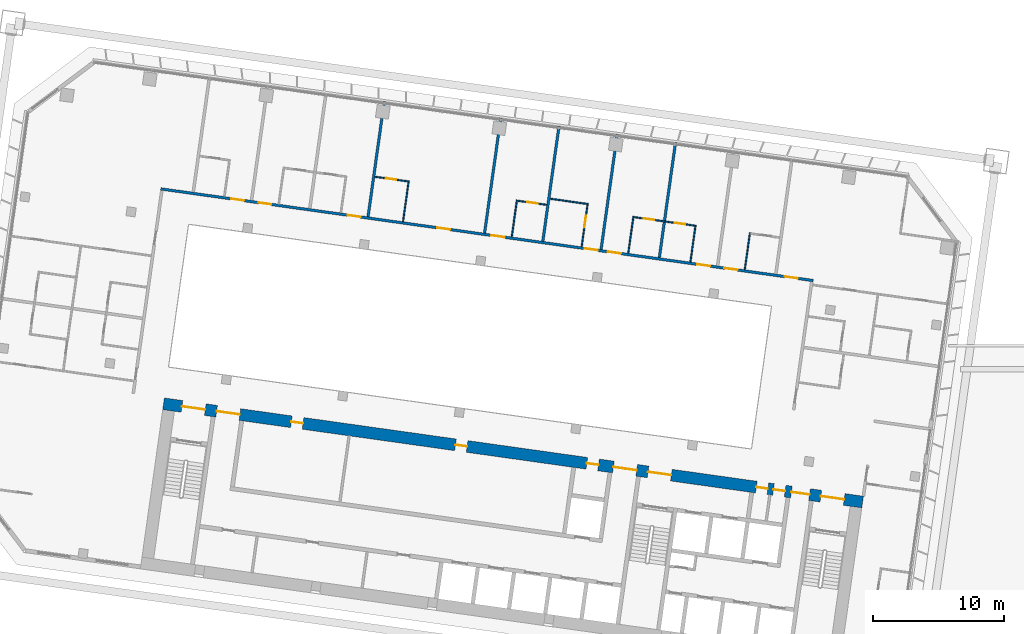
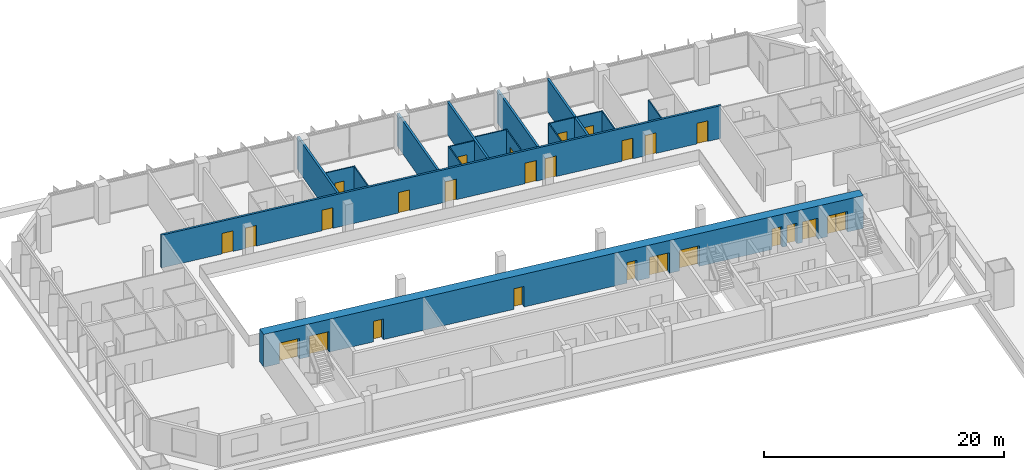
# One storey, part 28 of 46: 26 doors, 17 walls, 26 openings.
"""IFC4 building model written with IfcOpenShell, lengths in metres."""

from ifc_helpers import new_model, si_unit, direction, frame, frame_2d, origin, place, context, subcontext, project, spatial, rectangle, extrude, material, layer, layer_set, type_object, element, fill, save


model = new_model("IFC4")

# Units and contexts
model_context = context("Model", 3, precision=1e-05, world=origin(), true_north=direction((0.0, 1.0)))
body_context = subcontext(model_context, "Body", "Model", "MODEL_VIEW")
ifc_project = project(units=[si_unit("LENGTHUNIT", "METRE"), si_unit("AREAUNIT", "SQUARE_METRE"), si_unit("VOLUMEUNIT", "CUBIC_METRE"), si_unit("PLANEANGLEUNIT", "RADIAN"), si_unit("MASSUNIT", "GRAM", prefix="KILO")], contexts=[model_context])

# Site, building, storey
site_placement = place(None, origin())
site = spatial("IfcSite", under=ifc_project, at=site_placement, CompositionType="ELEMENT")
building_placement = place(site_placement, origin())
building = spatial("IfcBuilding", under=site, at=building_placement, Name="Mirante Cascada Hotel Towers", CompositionType="ELEMENT")
storey_placement = place(building_placement, frame((0.0, 0.0, 39.5)))
storey = spatial("IfcBuildingStorey", under=building, at=storey_placement, Name="L06", CompositionType="ELEMENT", Elevation=39.5)

# Wall, openings, doors
ifc_material_1 = material(Name="Fire-rated plasterboard on metal studs")
ifc_layer_1 = layer(ifc_material_1, 0.2)
ifc_layer_set_1 = layer_set([ifc_layer_1], Name="Compartment wall 200 EI 120")
wall_type_1 = type_object("IfcWallType", Name="Compartment wall 200 EI 120", PredefinedType="PARTITIONING", material=ifc_layer_set_1)
wall_1_placement = place(storey_placement, frame((-89.0146, 16.3922, 0.0), z_axis=(0.0, 0.0, 1.0), x_axis=(0.9902681, -0.1391727, 0.0)))
wall_1 = element("IfcWall", 1, at=wall_1_placement, inside=storey, type_object=wall_type_1, Name="Wall 1-L06-18", PredefinedType="PARTITIONING", context=body_context, shape_type="SweptSolid", body=[
    extrude(rectangle(XDim=50.4, YDim=0.2, at=frame_2d((25.2, 0.0))), origin(), (0.0, 0.0, 1.0), 3.35),
])
opening_1_placement = place(wall_1_placement, frame((48.2, 0.0, 0.0)))
opening_1 = element("IfcOpeningElement", 2, at=opening_1_placement, cuts=wall_1, Name="Opening D1-L06-09", PredefinedType="OPENING", context=body_context, shape_type="SweptSolid", body=[
    extrude(rectangle(XDim=1.0, YDim=2.1, at=frame_2d((0.5, 1.05))), frame((0.0, 0.1, 0.0), z_axis=(0.0, -1.0, 0.0), x_axis=(1.0, 0.0, 0.0)), (0.0, 0.0, 1.0), 0.2),
])
opening_2_placement = place(wall_1_placement, frame((43.55, 0.0, 0.0)))
opening_2 = element("IfcOpeningElement", 3, at=opening_2_placement, cuts=wall_1, Name="Opening D1-L06-10", PredefinedType="OPENING", context=body_context, shape_type="SweptSolid", body=[
    extrude(rectangle(XDim=1.0, YDim=2.1, at=frame_2d((0.5, 1.05))), frame((0.0, 0.1, 0.0), z_axis=(0.0, -1.0, 0.0), x_axis=(1.0, 0.0, 0.0)), (0.0, 0.0, 1.0), 0.2),
])
opening_3_placement = place(wall_1_placement, frame((41.45, 0.0, 0.0)))
opening_3 = element("IfcOpeningElement", 4, at=opening_3_placement, cuts=wall_1, Name="Opening D1-L06-11", PredefinedType="OPENING", context=body_context, shape_type="SweptSolid", body=[
    extrude(rectangle(XDim=1.0, YDim=2.1, at=frame_2d((0.5, 1.05))), frame((0.0, 0.1, 0.0), z_axis=(0.0, -1.0, 0.0), x_axis=(1.0, 0.0, 0.0)), (0.0, 0.0, 1.0), 0.2),
])
opening_4_placement = place(wall_1_placement, frame((34.55, 0.0, 0.0)))
opening_4 = element("IfcOpeningElement", 5, at=opening_4_placement, cuts=wall_1, Name="Opening D1-L06-12", PredefinedType="OPENING", context=body_context, shape_type="SweptSolid", body=[
    extrude(rectangle(XDim=1.0, YDim=2.1, at=frame_2d((0.5, 1.05))), frame((0.0, 0.1, 0.0), z_axis=(0.0, -1.0, 0.0), x_axis=(1.0, 0.0, 0.0)), (0.0, 0.0, 1.0), 0.2),
])
opening_5_placement = place(wall_1_placement, frame((32.75, 0.0, 0.0)))
opening_5 = element("IfcOpeningElement", 6, at=opening_5_placement, cuts=wall_1, Name="Opening D1-L06-13", PredefinedType="OPENING", context=body_context, shape_type="SweptSolid", body=[
    extrude(rectangle(XDim=1.0, YDim=2.1, at=frame_2d((0.5, 1.05))), frame((0.0, 0.1, 0.0), z_axis=(0.0, -1.0, 0.0), x_axis=(1.0, 0.0, 0.0)), (0.0, 0.0, 1.0), 0.2),
])
opening_6_placement = place(wall_1_placement, frame((25.55, 0.0, 0.0)))
opening_6 = element("IfcOpeningElement", 7, at=opening_6_placement, cuts=wall_1, Name="Opening D1-L06-14", PredefinedType="OPENING", context=body_context, shape_type="SweptSolid", body=[
    extrude(rectangle(XDim=1.0, YDim=2.1, at=frame_2d((0.5, 1.05))), frame((0.0, 0.1, 0.0), z_axis=(0.0, -1.0, 0.0), x_axis=(1.0, 0.0, 0.0)), (0.0, 0.0, 1.0), 0.2),
])
opening_7_placement = place(wall_1_placement, frame((21.35, 0.0, 0.0)))
opening_7 = element("IfcOpeningElement", 8, at=opening_7_placement, cuts=wall_1, Name="Opening D1-L06-15", PredefinedType="OPENING", context=body_context, shape_type="SweptSolid", body=[
    extrude(rectangle(XDim=1.0, YDim=2.1, at=frame_2d((0.5, 1.05))), frame((0.0, 0.1, 0.0), z_axis=(0.0, -1.0, 0.0), x_axis=(1.0, 0.0, 0.0)), (0.0, 0.0, 1.0), 0.2),
])
opening_8_placement = place(wall_1_placement, frame((14.45, 0.0, 0.0)))
opening_8 = element("IfcOpeningElement", 9, at=opening_8_placement, cuts=wall_1, Name="Opening D1-L06-16", PredefinedType="OPENING", context=body_context, shape_type="SweptSolid", body=[
    extrude(rectangle(XDim=1.0, YDim=2.1, at=frame_2d((0.5, 1.05))), frame((0.0, 0.1, 0.0), z_axis=(0.0, -1.0, 0.0), x_axis=(1.0, 0.0, 0.0)), (0.0, 0.0, 1.0), 0.2),
])
opening_9_placement = place(wall_1_placement, frame((7.55, 0.0, 0.0)))
opening_9 = element("IfcOpeningElement", 10, at=opening_9_placement, cuts=wall_1, Name="Opening D1-L06-17", PredefinedType="OPENING", context=body_context, shape_type="SweptSolid", body=[
    extrude(rectangle(XDim=1.0, YDim=2.1, at=frame_2d((0.5, 1.05))), frame((0.0, 0.1, 0.0), z_axis=(0.0, -1.0, 0.0), x_axis=(1.0, 0.0, 0.0)), (0.0, 0.0, 1.0), 0.2),
])
opening_10_placement = place(wall_1_placement, frame((5.45, 0.0, 0.0)))
opening_10 = element("IfcOpeningElement", 11, at=opening_10_placement, cuts=wall_1, Name="Opening D1-L06-18", PredefinedType="OPENING", context=body_context, shape_type="SweptSolid", body=[
    extrude(rectangle(XDim=1.0, YDim=2.1, at=frame_2d((0.5, 1.05))), frame((0.0, 0.1, 0.0), z_axis=(0.0, -1.0, 0.0), x_axis=(1.0, 0.0, 0.0)), (0.0, 0.0, 1.0), 0.2),
])
ifc_material_2 = material(Name="Fire-rated timber door leaf", Category="wood")
door_type_1 = type_object("IfcDoorType", Name="Entrance door DG1 1000x2100 EI 60", OperationType="SINGLE_SWING_LEFT", PredefinedType="DOOR", material=ifc_material_2)
door_1_placement = place(opening_1_placement, origin())
door_1 = element("IfcDoor", 12, at=door_1_placement, inside=storey, type_object=door_type_1, Name="Door D1-L06-09", OperationType="SINGLE_SWING_LEFT", OverallHeight=2.1, OverallWidth=1.0, PredefinedType="DOOR", context=body_context, shape_type="SweptSolid", body=[
    extrude(rectangle(XDim=1.0, YDim=2.1, at=frame_2d((0.5, 1.05))), frame((0.0, 0.025, 0.0), z_axis=(0.0, -1.0, 0.0), x_axis=(1.0, 0.0, 0.0)), (0.0, 0.0, 1.0), 0.05),
])
fill(opening_1, door_1)
door_2_placement = place(opening_2_placement, origin())
door_2 = element("IfcDoor", 13, at=door_2_placement, inside=storey, type_object=door_type_1, Name="Door D1-L06-10", OperationType="SINGLE_SWING_LEFT", OverallHeight=2.1, OverallWidth=1.0, PredefinedType="DOOR", context=body_context, shape_type="SweptSolid", body=[
    extrude(rectangle(XDim=1.0, YDim=2.1, at=frame_2d((0.5, 1.05))), frame((0.0, 0.025, 0.0), z_axis=(0.0, -1.0, 0.0), x_axis=(1.0, 0.0, 0.0)), (0.0, 0.0, 1.0), 0.05),
])
fill(opening_2, door_2)
door_3_placement = place(opening_3_placement, origin())
door_3 = element("IfcDoor", 14, at=door_3_placement, inside=storey, type_object=door_type_1, Name="Door D1-L06-11", OperationType="SINGLE_SWING_LEFT", OverallHeight=2.1, OverallWidth=1.0, PredefinedType="DOOR", context=body_context, shape_type="SweptSolid", body=[
    extrude(rectangle(XDim=1.0, YDim=2.1, at=frame_2d((0.5, 1.05))), frame((0.0, 0.025, 0.0), z_axis=(0.0, -1.0, 0.0), x_axis=(1.0, 0.0, 0.0)), (0.0, 0.0, 1.0), 0.05),
])
fill(opening_3, door_3)
door_4_placement = place(opening_4_placement, origin())
door_4 = element("IfcDoor", 15, at=door_4_placement, inside=storey, type_object=door_type_1, Name="Door D1-L06-12", OperationType="SINGLE_SWING_LEFT", OverallHeight=2.1, OverallWidth=1.0, PredefinedType="DOOR", context=body_context, shape_type="SweptSolid", body=[
    extrude(rectangle(XDim=1.0, YDim=2.1, at=frame_2d((0.5, 1.05))), frame((0.0, 0.025, 0.0), z_axis=(0.0, -1.0, 0.0), x_axis=(1.0, 0.0, 0.0)), (0.0, 0.0, 1.0), 0.05),
])
fill(opening_4, door_4)
door_5_placement = place(opening_5_placement, origin())
door_5 = element("IfcDoor", 16, at=door_5_placement, inside=storey, type_object=door_type_1, Name="Door D1-L06-13", OperationType="SINGLE_SWING_LEFT", OverallHeight=2.1, OverallWidth=1.0, PredefinedType="DOOR", context=body_context, shape_type="SweptSolid", body=[
    extrude(rectangle(XDim=1.0, YDim=2.1, at=frame_2d((0.5, 1.05))), frame((0.0, 0.025, 0.0), z_axis=(0.0, -1.0, 0.0), x_axis=(1.0, 0.0, 0.0)), (0.0, 0.0, 1.0), 0.05),
])
fill(opening_5, door_5)
door_6_placement = place(opening_6_placement, origin())
door_6 = element("IfcDoor", 17, at=door_6_placement, inside=storey, type_object=door_type_1, Name="Door D1-L06-14", OperationType="SINGLE_SWING_LEFT", OverallHeight=2.1, OverallWidth=1.0, PredefinedType="DOOR", context=body_context, shape_type="SweptSolid", body=[
    extrude(rectangle(XDim=1.0, YDim=2.1, at=frame_2d((0.5, 1.05))), frame((0.0, 0.025, 0.0), z_axis=(0.0, -1.0, 0.0), x_axis=(1.0, 0.0, 0.0)), (0.0, 0.0, 1.0), 0.05),
])
fill(opening_6, door_6)
door_7_placement = place(opening_7_placement, origin())
door_7 = element("IfcDoor", 18, at=door_7_placement, inside=storey, type_object=door_type_1, Name="Door D1-L06-15", OperationType="SINGLE_SWING_LEFT", OverallHeight=2.1, OverallWidth=1.0, PredefinedType="DOOR", context=body_context, shape_type="SweptSolid", body=[
    extrude(rectangle(XDim=1.0, YDim=2.1, at=frame_2d((0.5, 1.05))), frame((0.0, 0.025, 0.0), z_axis=(0.0, -1.0, 0.0), x_axis=(1.0, 0.0, 0.0)), (0.0, 0.0, 1.0), 0.05),
])
fill(opening_7, door_7)
door_8_placement = place(opening_8_placement, origin())
door_8 = element("IfcDoor", 19, at=door_8_placement, inside=storey, type_object=door_type_1, Name="Door D1-L06-16", OperationType="SINGLE_SWING_LEFT", OverallHeight=2.1, OverallWidth=1.0, PredefinedType="DOOR", context=body_context, shape_type="SweptSolid", body=[
    extrude(rectangle(XDim=1.0, YDim=2.1, at=frame_2d((0.5, 1.05))), frame((0.0, 0.025, 0.0), z_axis=(0.0, -1.0, 0.0), x_axis=(1.0, 0.0, 0.0)), (0.0, 0.0, 1.0), 0.05),
])
fill(opening_8, door_8)
door_9_placement = place(opening_9_placement, origin())
door_9 = element("IfcDoor", 20, at=door_9_placement, inside=storey, type_object=door_type_1, Name="Door D1-L06-17", OperationType="SINGLE_SWING_LEFT", OverallHeight=2.1, OverallWidth=1.0, PredefinedType="DOOR", context=body_context, shape_type="SweptSolid", body=[
    extrude(rectangle(XDim=1.0, YDim=2.1, at=frame_2d((0.5, 1.05))), frame((0.0, 0.025, 0.0), z_axis=(0.0, -1.0, 0.0), x_axis=(1.0, 0.0, 0.0)), (0.0, 0.0, 1.0), 0.05),
])
fill(opening_9, door_9)
door_10_placement = place(opening_10_placement, origin())
door_10 = element("IfcDoor", 21, at=door_10_placement, inside=storey, type_object=door_type_1, Name="Door D1-L06-18", OperationType="SINGLE_SWING_LEFT", OverallHeight=2.1, OverallWidth=1.0, PredefinedType="DOOR", context=body_context, shape_type="SweptSolid", body=[
    extrude(rectangle(XDim=1.0, YDim=2.1, at=frame_2d((0.5, 1.05))), frame((0.0, 0.025, 0.0), z_axis=(0.0, -1.0, 0.0), x_axis=(1.0, 0.0, 0.0)), (0.0, 0.0, 1.0), 0.05),
])
fill(opening_10, door_10)

# Walls
for number, where, z_axis, x_axis, name in (
    (22, (-50.8754, 11.1331, 0.0), (0.0, 0.0, 1.0), (0.1391794, 0.9902672, 0.0), "Wall 1-L06-39"),
    (23, (-55.3316, 11.7594, 0.0), (0.0, 0.0, 1.0), (0.1391794, 0.9902672, 0.0), "Wall 1-L06-41"),
):
    element("IfcWall", number, at=place(storey_placement, frame(where, z_axis=z_axis, x_axis=x_axis)), inside=storey, type_object=wall_type_1, Name=name, PredefinedType="PARTITIONING", context=body_context, shape_type="SweptSolid", body=[
        extrude(rectangle(XDim=8.9, YDim=0.2, at=frame_2d((4.45, 0.0))), origin(), (0.0, 0.0, 1.0), 3.35),
    ])
wall_2_placement = place(storey_placement, frame((-59.7878, 12.3857, 0.0), z_axis=(0.0, 0.0, 1.0), x_axis=(0.13917, 0.9902685, 0.0)))
element("IfcWall", 24, at=wall_2_placement, inside=storey, type_object=wall_type_1, Name="Wall 1-L06-43", PredefinedType="PARTITIONING", context=body_context, shape_type="SweptSolid", body=[
    extrude(rectangle(XDim=8.8999, YDim=0.2, at=frame_2d((4.45, 0.0))), origin(), (0.0, 0.0, 1.0), 3.35),
])
for number, where, z_axis, x_axis, name in (
    (25, (-64.244, 13.0119, 0.0), (0.0, 0.0, 1.0), (0.1391684, 0.9902687, 0.0), "Wall 1-L06-45"),
    (26, (-73.1564, 14.2645, 0.0), (0.0, 0.0, 1.0), (0.1391684, 0.9902687, 0.0), "Wall 1-L06-47"),
):
    element("IfcWall", number, at=place(storey_placement, frame(where, z_axis=z_axis, x_axis=x_axis)), inside=storey, type_object=wall_type_1, Name=name, PredefinedType="PARTITIONING", context=body_context, shape_type="SweptSolid", body=[
        extrude(rectangle(XDim=8.9, YDim=0.2, at=frame_2d((4.45, 0.0))), origin(), (0.0, 0.0, 1.0), 3.35),
    ])

# Wall, openings, doors
ifc_material_3 = material(Name="Plasterboard on metal studs")
ifc_layer_2 = layer(ifc_material_3, 0.1)
ifc_layer_set_2 = layer_set([ifc_layer_2], Name="Partition 100")
wall_type_2 = type_object("IfcWallType", Name="Partition 100", PredefinedType="PARTITIONING", material=ifc_layer_set_2)
wall_3_placement = place(storey_placement, frame((-52.9119, 14.2468, 0.0), z_axis=(0.0, 0.0, 1.0), x_axis=(0.9902698, -0.139161, 0.0)))
wall_3 = element("IfcWall", 27, at=wall_3_placement, inside=storey, type_object=wall_type_2, Name="Wall 1-L06-20", PredefinedType="PARTITIONING", context=body_context, shape_type="SweptSolid", body=[
    extrude(rectangle(XDim=4.9001, YDim=0.1, at=frame_2d((2.45, 0.0))), origin(), (0.0, 0.0, 1.0), 3.35),
])
opening_11_placement = place(wall_3_placement, frame((3.25, 0.0, 0.0)))
opening_11 = element("IfcOpeningElement", 28, at=opening_11_placement, cuts=wall_3, Name="Opening D1-L06-20", PredefinedType="OPENING", context=body_context, shape_type="SweptSolid", body=[
    extrude(rectangle(XDim=0.8, YDim=2.1, at=frame_2d((0.4, 1.05))), frame((0.0, 0.05, 0.0), z_axis=(0.0, -1.0, 0.0), x_axis=(1.0, 0.0, 0.0)), (0.0, 0.0, 1.0), 0.1),
])
opening_12_placement = place(wall_3_placement, frame((0.85, 0.0, 0.0)))
opening_12 = element("IfcOpeningElement", 29, at=opening_12_placement, cuts=wall_3, Name="Opening D1-L06-21", PredefinedType="OPENING", context=body_context, shape_type="SweptSolid", body=[
    extrude(rectangle(XDim=0.8, YDim=2.1, at=frame_2d((0.4, 1.05))), frame((0.0, 0.05, 0.0), z_axis=(0.0, -1.0, 0.0), x_axis=(1.0, 0.0, 0.0)), (0.0, 0.0, 1.0), 0.1),
])
ifc_material_4 = material(Name="Timber door leaf", Category="wood")
door_type_2 = type_object("IfcDoorType", Name="Bathroom door DG4 800x2100", OperationType="SINGLE_SWING_LEFT", PredefinedType="DOOR", material=ifc_material_4)
door_11_placement = place(opening_11_placement, origin())
door_11 = element("IfcDoor", 30, at=door_11_placement, inside=storey, type_object=door_type_2, Name="Door D1-L06-20", OperationType="SINGLE_SWING_LEFT", OverallHeight=2.1, OverallWidth=0.8, PredefinedType="DOOR", context=body_context, shape_type="SweptSolid", body=[
    extrude(rectangle(XDim=0.8, YDim=2.1, at=frame_2d((0.4, 1.05))), frame((0.0, 0.025, 0.0), z_axis=(0.0, -1.0, 0.0), x_axis=(1.0, 0.0, 0.0)), (0.0, 0.0, 1.0), 0.05),
])
fill(opening_11, door_11)
door_12_placement = place(opening_12_placement, origin())
door_12 = element("IfcDoor", 31, at=door_12_placement, inside=storey, type_object=door_type_2, Name="Door D1-L06-21", OperationType="SINGLE_SWING_LEFT", OverallHeight=2.1, OverallWidth=0.8, PredefinedType="DOOR", context=body_context, shape_type="SweptSolid", body=[
    extrude(rectangle(XDim=0.8, YDim=2.1, at=frame_2d((0.4, 1.05))), frame((0.0, 0.025, 0.0), z_axis=(0.0, -1.0, 0.0), x_axis=(1.0, 0.0, 0.0)), (0.0, 0.0, 1.0), 0.05),
])
fill(opening_12, door_12)

# Wall, opening, door
wall_4_placement = place(storey_placement, frame((-59.4971, 15.1723, 0.0), z_axis=(0.0, 0.0, 1.0), x_axis=(-0.9902643, 0.1391997, 0.0)))
wall_4 = element("IfcWall", 32, at=wall_4_placement, inside=storey, type_object=wall_type_2, Name="Wall 1-L06-21", PredefinedType="PARTITIONING", context=body_context, shape_type="SweptSolid", body=[
    extrude(rectangle(XDim=2.25, YDim=0.1, at=frame_2d((1.125, 0.0))), origin(), (0.0, 0.0, 1.0), 3.35),
])
opening_13_placement = place(wall_4_placement, frame((0.7, 0.0, 0.0)))
opening_13 = element("IfcOpeningElement", 33, at=opening_13_placement, cuts=wall_4, Name="Opening D1-L06-22", PredefinedType="OPENING", context=body_context, shape_type="SweptSolid", body=[
    extrude(rectangle(XDim=0.8, YDim=2.1, at=frame_2d((0.4, 1.05))), frame((0.0, 0.05, 0.0), z_axis=(0.0, -1.0, 0.0), x_axis=(1.0, 0.0, 0.0)), (0.0, 0.0, 1.0), 0.1),
])
door_13_placement = place(opening_13_placement, frame((0.8, 0.0, 0.0), z_axis=(0.0, 0.0, 1.0), x_axis=(-1.0, 0.0, 0.0)))
door_13 = element("IfcDoor", 34, at=door_13_placement, inside=storey, type_object=door_type_2, Name="Door D1-L06-22", OperationType="SINGLE_SWING_RIGHT", OverallHeight=2.1, OverallWidth=0.8, PredefinedType="DOOR", context=body_context, shape_type="SweptSolid", body=[
    extrude(rectangle(XDim=0.8, YDim=2.1, at=frame_2d((0.4, 1.05))), frame((0.0, 0.025, 0.0), z_axis=(0.0, -1.0, 0.0), x_axis=(1.0, 0.0, 0.0)), (0.0, 0.0, 1.0), 0.05),
])
fill(opening_13, door_13)

wall_5_placement = place(storey_placement, frame((-72.626, 17.3204, 0.0), z_axis=(0.0, 0.0, 1.0), x_axis=(0.9902677, -0.1391755, 0.0)))
wall_5 = element("IfcWall", 35, at=wall_5_placement, inside=storey, type_object=wall_type_2, Name="Wall 1-L06-24", PredefinedType="PARTITIONING", context=body_context, shape_type="SweptSolid", body=[
    extrude(rectangle(XDim=2.55, YDim=0.1, at=frame_2d((1.275, 0.0))), origin(), (0.0, 0.0, 1.0), 3.35),
])
opening_14_placement = place(wall_5_placement, frame((0.85, 0.0, 0.0)))
opening_14 = element("IfcOpeningElement", 36, at=opening_14_placement, cuts=wall_5, Name="Opening D1-L06-26", PredefinedType="OPENING", context=body_context, shape_type="SweptSolid", body=[
    extrude(rectangle(XDim=0.8, YDim=2.1, at=frame_2d((0.4, 1.05))), frame((0.0, 0.05, 0.0), z_axis=(0.0, -1.0, 0.0), x_axis=(1.0, 0.0, 0.0)), (0.0, 0.0, 1.0), 0.1),
])
door_14_placement = place(opening_14_placement, origin())
door_14 = element("IfcDoor", 37, at=door_14_placement, inside=storey, type_object=door_type_2, Name="Door D1-L06-26", OperationType="SINGLE_SWING_LEFT", OverallHeight=2.1, OverallWidth=0.8, PredefinedType="DOOR", context=body_context, shape_type="SweptSolid", body=[
    extrude(rectangle(XDim=0.8, YDim=2.1, at=frame_2d((0.4, 1.05))), frame((0.0, 0.025, 0.0), z_axis=(0.0, -1.0, 0.0), x_axis=(1.0, 0.0, 0.0)), (0.0, 0.0, 1.0), 0.05),
])
fill(opening_14, door_14)

# Walls
wall_6_placement = place(storey_placement, frame((-56.4072, 15.243, 0.0), z_axis=(0.0, 0.0, 1.0), x_axis=(-0.9902704, 0.1391564, 0.0)))
element("IfcWall", 38, at=wall_6_placement, inside=storey, type_object=wall_type_2, Name="Wall 1-L06-25", PredefinedType="PARTITIONING", context=body_context, shape_type="SweptSolid", body=[
    extrude(rectangle(XDim=2.85, YDim=0.1, at=frame_2d((1.425, 0.0))), origin(), (0.0, 0.0, 1.0), 3.35),
])
wall_7_placement = place(storey_placement, frame((-43.943, 13.0368, 0.0), z_axis=(0.0, 0.0, 1.0), x_axis=(-0.1391613, -0.9902697, 0.0)))
element("IfcWall", 39, at=wall_7_placement, inside=storey, type_object=wall_type_2, Name="Wall 1-L06-36", PredefinedType="PARTITIONING", context=body_context, shape_type="SweptSolid", body=[
    extrude(rectangle(XDim=2.8499, YDim=0.1, at=frame_2d((1.425, 0.0))), origin(), (0.0, 0.0, 1.0), 3.35),
])
wall_8_placement = place(storey_placement, frame((-48.116, 13.5223, 0.0), z_axis=(0.0, 0.0, 1.0), x_axis=(-0.1391657, -0.9902691, 0.0)))
element("IfcWall", 40, at=wall_8_placement, inside=storey, type_object=wall_type_2, Name="Wall 1-L06-38", PredefinedType="PARTITIONING", context=body_context, shape_type="SweptSolid", body=[
    extrude(rectangle(XDim=2.75, YDim=0.1, at=frame_2d((1.375, 0.0))), origin(), (0.0, 0.0, 1.0), 3.35),
])
wall_9_placement = place(storey_placement, frame((-52.8693, 14.1904, 0.0), z_axis=(0.0, 0.0, 1.0), x_axis=(-0.1391607, -0.9902698, 0.0)))
element("IfcWall", 41, at=wall_9_placement, inside=storey, type_object=wall_type_2, Name="Wall 1-L06-40", PredefinedType="PARTITIONING", context=body_context, shape_type="SweptSolid", body=[
    extrude(rectangle(XDim=2.7501, YDim=0.1, at=frame_2d((1.3751, 0.0))), origin(), (0.0, 0.0, 1.0), 3.35),
])

# Wall, opening, door
wall_10_placement = place(storey_placement, frame((-56.3508, 15.2855, 0.0), z_axis=(0.0, 0.0, 1.0), x_axis=(-0.1391643, -0.9902693, 0.0)))
wall_10 = element("IfcWall", 42, at=wall_10_placement, inside=storey, type_object=wall_type_2, Name="Wall 1-L06-42", PredefinedType="PARTITIONING", context=body_context, shape_type="SweptSolid", body=[
    extrude(rectangle(XDim=3.35, YDim=0.1, at=frame_2d((1.675, 0.0))), origin(), (0.0, 0.0, 1.0), 3.35),
])
opening_15_placement = place(wall_10_placement, frame((0.96, 0.0, 0.0)))
opening_15 = element("IfcOpeningElement", 43, at=opening_15_placement, cuts=wall_10, Name="Opening D1-L06-34", PredefinedType="OPENING", context=body_context, shape_type="SweptSolid", body=[
    extrude(rectangle(XDim=0.9, YDim=2.1, at=frame_2d((0.45, 1.05))), frame((0.0, 0.05, 0.0), z_axis=(0.0, -1.0, 0.0), x_axis=(1.0, 0.0, 0.0)), (0.0, 0.0, 1.0), 0.1),
])
ifc_material_5 = material(Name="Timber door leaf", Category="wood")
door_type_3 = type_object("IfcDoorType", Name="Room door DG3 900x2100", OperationType="SINGLE_SWING_LEFT", PredefinedType="DOOR", material=ifc_material_5)
door_15_placement = place(opening_15_placement, frame((0.9, 0.0, 0.0), z_axis=(0.0, 0.0, 1.0), x_axis=(-1.0, 0.0, 0.0)))
door_15 = element("IfcDoor", 44, at=door_15_placement, inside=storey, type_object=door_type_3, Name="Door D1-L06-34", OperationType="SINGLE_SWING_RIGHT", OverallHeight=2.1, OverallWidth=0.9, PredefinedType="DOOR", context=body_context, shape_type="SweptSolid", body=[
    extrude(rectangle(XDim=0.9, YDim=2.1, at=frame_2d((0.45, 1.05))), frame((0.0, 0.025, 0.0), z_axis=(0.0, -1.0, 0.0), x_axis=(1.0, 0.0, 0.0)), (0.0, 0.0, 1.0), 0.05),
])
fill(opening_15, door_15)

# Walls
wall_11_placement = place(storey_placement, frame((-61.7678, 15.5419, 0.0), z_axis=(0.0, 0.0, 1.0), x_axis=(-0.1391613, -0.9902697, 0.0)))
element("IfcWall", 45, at=wall_11_placement, inside=storey, type_object=wall_type_2, Name="Wall 1-L06-44", PredefinedType="PARTITIONING", context=body_context, shape_type="SweptSolid", body=[
    extrude(rectangle(XDim=2.8499, YDim=0.1, at=frame_2d((1.425, 0.0))), origin(), (0.0, 0.0, 1.0), 3.35),
])
wall_12_placement = place(storey_placement, frame((-70.0443, 17.0081, 0.0), z_axis=(0.0, 0.0, 1.0), x_axis=(-0.1391721, -0.9902682, 0.0)))
element("IfcWall", 46, at=wall_12_placement, inside=storey, type_object=wall_type_2, Name="Wall 1-L06-46", PredefinedType="PARTITIONING", context=body_context, shape_type="SweptSolid", body=[
    extrude(rectangle(XDim=3.1501, YDim=0.1, at=frame_2d((1.575, 0.0))), origin(), (0.0, 0.0, 1.0), 3.35),
])

# Wall, openings, doors
ifc_material_6 = material(Name="Concrete C50/60", Category="concrete")
ifc_layer_3 = layer(ifc_material_6, 0.9)
ifc_layer_set_3 = layer_set([ifc_layer_3], Name="RC core wall 900 C50/60")
wall_type_3 = type_object("IfcWallType", Name="RC core wall 900 C50/60", PredefinedType="SHEAR", material=ifc_layer_set_3)
wall_13_placement = place(storey_placement, frame((-35.326, -7.5629, 0.0), z_axis=(0.0, 0.0, 1.0), x_axis=(-0.9902679, 0.139174, 0.0)))
wall_13 = element("IfcWall", 47, at=wall_13_placement, inside=storey, type_object=wall_type_3, Name="Core wall T1:L06:2", PredefinedType="SHEAR", context=body_context, shape_type="SweptSolid", body=[
    extrude(rectangle(XDim=54.0, YDim=0.9, at=frame_2d((27.0, 0.0))), origin(), (0.0, 0.0, 1.0), 3.35),
])
opening_16_placement = place(wall_13_placement, frame((1.425, 0.0, 0.0)))
opening_16 = element("IfcOpeningElement", 48, at=opening_16_placement, cuts=wall_13, Name="Opening D1-06-C14", PredefinedType="OPENING", context=body_context, shape_type="SweptSolid", body=[
    extrude(rectangle(XDim=1.8, YDim=2.1, at=frame_2d((0.9, 1.05))), frame((0.0, 0.45, 0.0), z_axis=(0.0, -1.0, 0.0), x_axis=(1.0, 0.0, 0.0)), (0.0, 0.0, 1.0), 0.9),
])
opening_17_placement = place(wall_13_placement, frame((14.775, 0.0, 0.0)))
opening_17 = element("IfcOpeningElement", 49, at=opening_17_placement, cuts=wall_13, Name="Opening D1-06-C16", PredefinedType="OPENING", context=body_context, shape_type="SweptSolid", body=[
    extrude(rectangle(XDim=1.8, YDim=2.1, at=frame_2d((0.9, 1.05))), frame((0.0, 0.45, 0.0), z_axis=(0.0, -1.0, 0.0), x_axis=(1.0, 0.0, 0.0)), (0.0, 0.0, 1.0), 0.9),
])
opening_18_placement = place(wall_13_placement, frame((50.775, 0.0, 0.0)))
opening_18 = element("IfcOpeningElement", 50, at=opening_18_placement, cuts=wall_13, Name="Opening D1-06-C18", PredefinedType="OPENING", context=body_context, shape_type="SweptSolid", body=[
    extrude(rectangle(XDim=1.8, YDim=2.1, at=frame_2d((0.9, 1.05))), frame((0.0, 0.45, 0.0), z_axis=(0.0, -1.0, 0.0), x_axis=(1.0, 0.0, 0.0)), (0.0, 0.0, 1.0), 0.9),
])
opening_19_placement = place(wall_13_placement, frame((4.1, 0.0, 0.0)))
opening_19 = element("IfcOpeningElement", 51, at=opening_19_placement, cuts=wall_13, Name="Opening D1-06-C19", PredefinedType="OPENING", context=body_context, shape_type="SweptSolid", body=[
    extrude(rectangle(XDim=1.4, YDim=2.1, at=frame_2d((0.7, 1.05))), frame((0.0, 0.45, 0.0), z_axis=(0.0, -1.0, 0.0), x_axis=(1.0, 0.0, 0.0)), (0.0, 0.0, 1.0), 0.9),
])
opening_20_placement = place(wall_13_placement, frame((17.45, 0.0, 0.0)))
opening_20 = element("IfcOpeningElement", 52, at=opening_20_placement, cuts=wall_13, Name="Opening D1-06-C20", PredefinedType="OPENING", context=body_context, shape_type="SweptSolid", body=[
    extrude(rectangle(XDim=1.8, YDim=2.1, at=frame_2d((0.9, 1.05))), frame((0.0, 0.45, 0.0), z_axis=(0.0, -1.0, 0.0), x_axis=(1.0, 0.0, 0.0)), (0.0, 0.0, 1.0), 0.9),
])
opening_21_placement = place(wall_13_placement, frame((48.1, 0.0, 0.0)))
opening_21 = element("IfcOpeningElement", 53, at=opening_21_placement, cuts=wall_13, Name="Opening D1-06-C21", PredefinedType="OPENING", context=body_context, shape_type="SweptSolid", body=[
    extrude(rectangle(XDim=1.8, YDim=2.1, at=frame_2d((0.9, 1.05))), frame((0.0, 0.45, 0.0), z_axis=(0.0, -1.0, 0.0), x_axis=(1.0, 0.0, 0.0)), (0.0, 0.0, 1.0), 0.9),
])
opening_22_placement = place(wall_13_placement, frame((5.9875, 0.0, 0.0)))
opening_22 = element("IfcOpeningElement", 54, at=opening_22_placement, cuts=wall_13, Name="Opening D1-06-C24", PredefinedType="OPENING", context=body_context, shape_type="SweptSolid", body=[
    extrude(rectangle(XDim=0.9, YDim=2.1, at=frame_2d((0.45, 1.05))), frame((0.0, 0.45, 0.0), z_axis=(0.0, -1.0, 0.0), x_axis=(1.0, 0.0, 0.0)), (0.0, 0.0, 1.0), 0.9),
])
opening_23_placement = place(wall_13_placement, frame((7.3125, 0.0, 0.0)))
opening_23 = element("IfcOpeningElement", 55, at=opening_23_placement, cuts=wall_13, Name="Opening D1-06-C25", PredefinedType="OPENING", context=body_context, shape_type="SweptSolid", body=[
    extrude(rectangle(XDim=0.9, YDim=2.1, at=frame_2d((0.45, 1.05))), frame((0.0, 0.45, 0.0), z_axis=(0.0, -1.0, 0.0), x_axis=(1.0, 0.0, 0.0)), (0.0, 0.0, 1.0), 0.9),
])
opening_24_placement = place(wall_13_placement, frame((20.4, 0.0, 0.0)))
opening_24 = element("IfcOpeningElement", 56, at=opening_24_placement, cuts=wall_13, Name="Opening D1-06-C29", PredefinedType="OPENING", context=body_context, shape_type="SweptSolid", body=[
    extrude(rectangle(XDim=0.9, YDim=2.1, at=frame_2d((0.45, 1.05))), frame((0.0, 0.45, 0.0), z_axis=(0.0, -1.0, 0.0), x_axis=(1.0, 0.0, 0.0)), (0.0, 0.0, 1.0), 0.9),
])
opening_25_placement = place(wall_13_placement, frame((30.55, 0.0, 0.0)))
opening_25 = element("IfcOpeningElement", 57, at=opening_25_placement, cuts=wall_13, Name="Opening D1-06-C30", PredefinedType="OPENING", context=body_context, shape_type="SweptSolid", body=[
    extrude(rectangle(XDim=0.9, YDim=2.1, at=frame_2d((0.45, 1.05))), frame((0.0, 0.45, 0.0), z_axis=(0.0, -1.0, 0.0), x_axis=(1.0, 0.0, 0.0)), (0.0, 0.0, 1.0), 0.9),
])
opening_26_placement = place(wall_13_placement, frame((43.225, 0.0, 0.0)))
opening_26 = element("IfcOpeningElement", 58, at=opening_26_placement, cuts=wall_13, Name="Opening D1-06-C31", PredefinedType="OPENING", context=body_context, shape_type="SweptSolid", body=[
    extrude(rectangle(XDim=0.9, YDim=2.1, at=frame_2d((0.45, 1.05))), frame((0.0, 0.45, 0.0), z_axis=(0.0, -1.0, 0.0), x_axis=(1.0, 0.0, 0.0)), (0.0, 0.0, 1.0), 0.9),
])
ifc_material_7 = material(Name="Hollow metal fire door leaf")
door_type_4 = type_object("IfcDoorType", Name="Double fire door 1400x2100 FD60", OperationType="DOUBLE_DOOR_SINGLE_SWING", PredefinedType="DOOR", material=ifc_material_7)
door_16_placement = place(opening_19_placement, frame((1.4, 0.0, 0.0), z_axis=(0.0, 0.0, 1.0), x_axis=(-1.0, 0.0, 0.0)))
door_16 = element("IfcDoor", 59, at=door_16_placement, inside=storey, type_object=door_type_4, Name="Exit door to gallery T1 L06 19", OperationType="DOUBLE_DOOR_SINGLE_SWING", OverallHeight=2.1, OverallWidth=1.4, PredefinedType="DOOR", context=body_context, shape_type="SweptSolid", body=[
    extrude(rectangle(XDim=0.695, YDim=2.1, at=frame_2d((0.3475, 1.05))), frame((0.0, 0.025, 0.0), z_axis=(0.0, -1.0, 0.0), x_axis=(1.0, 0.0, 0.0)), (0.0, 0.0, 1.0), 0.05),
    extrude(rectangle(XDim=0.695, YDim=2.1, at=frame_2d((1.0525, 1.05))), frame((0.0, 0.025, 0.0), z_axis=(0.0, -1.0, 0.0), x_axis=(1.0, 0.0, 0.0)), (0.0, 0.0, 1.0), 0.05),
])
fill(opening_19, door_16)
ifc_material_8 = material(Name="Hollow metal fire door leaf")
door_type_5 = type_object("IfcDoorType", Name="Double fire door 1800x2100 FD60", OperationType="DOUBLE_DOOR_SINGLE_SWING", PredefinedType="DOOR", material=ifc_material_8)
door_17_placement = place(opening_16_placement, origin())
door_17 = element("IfcDoor", 60, at=door_17_placement, inside=storey, type_object=door_type_5, Name="Exit door to gallery T1 L06 14", OperationType="DOUBLE_DOOR_SINGLE_SWING", OverallHeight=2.1, OverallWidth=1.8, PredefinedType="DOOR", context=body_context, shape_type="SweptSolid", body=[
    extrude(rectangle(XDim=0.895, YDim=2.1, at=frame_2d((0.4475, 1.05))), frame((0.0, 0.025, 0.0), z_axis=(0.0, -1.0, 0.0), x_axis=(1.0, 0.0, 0.0)), (0.0, 0.0, 1.0), 0.05),
    extrude(rectangle(XDim=0.895, YDim=2.1, at=frame_2d((1.3525, 1.05))), frame((0.0, 0.025, 0.0), z_axis=(0.0, -1.0, 0.0), x_axis=(1.0, 0.0, 0.0)), (0.0, 0.0, 1.0), 0.05),
])
fill(opening_16, door_17)
door_18_placement = place(opening_17_placement, origin())
door_18 = element("IfcDoor", 61, at=door_18_placement, inside=storey, type_object=door_type_5, Name="Exit door to gallery T1 L06 16", OperationType="DOUBLE_DOOR_SINGLE_SWING", OverallHeight=2.1, OverallWidth=1.8, PredefinedType="DOOR", context=body_context, shape_type="SweptSolid", body=[
    extrude(rectangle(XDim=0.895, YDim=2.1, at=frame_2d((0.4475, 1.05))), frame((0.0, 0.025, 0.0), z_axis=(0.0, -1.0, 0.0), x_axis=(1.0, 0.0, 0.0)), (0.0, 0.0, 1.0), 0.05),
    extrude(rectangle(XDim=0.895, YDim=2.1, at=frame_2d((1.3525, 1.05))), frame((0.0, 0.025, 0.0), z_axis=(0.0, -1.0, 0.0), x_axis=(1.0, 0.0, 0.0)), (0.0, 0.0, 1.0), 0.05),
])
fill(opening_17, door_18)
door_19_placement = place(opening_18_placement, origin())
door_19 = element("IfcDoor", 62, at=door_19_placement, inside=storey, type_object=door_type_5, Name="Exit door to gallery T1 L06 18", OperationType="DOUBLE_DOOR_SINGLE_SWING", OverallHeight=2.1, OverallWidth=1.8, PredefinedType="DOOR", context=body_context, shape_type="SweptSolid", body=[
    extrude(rectangle(XDim=0.895, YDim=2.1, at=frame_2d((0.4475, 1.05))), frame((0.0, 0.025, 0.0), z_axis=(0.0, -1.0, 0.0), x_axis=(1.0, 0.0, 0.0)), (0.0, 0.0, 1.0), 0.05),
    extrude(rectangle(XDim=0.895, YDim=2.1, at=frame_2d((1.3525, 1.05))), frame((0.0, 0.025, 0.0), z_axis=(0.0, -1.0, 0.0), x_axis=(1.0, 0.0, 0.0)), (0.0, 0.0, 1.0), 0.05),
])
fill(opening_18, door_19)
door_20_placement = place(opening_20_placement, frame((1.8, 0.0, 0.0), z_axis=(0.0, 0.0, 1.0), x_axis=(-1.0, 0.0, 0.0)))
door_20 = element("IfcDoor", 63, at=door_20_placement, inside=storey, type_object=door_type_5, Name="Exit door to gallery T1 L06 20", OperationType="DOUBLE_DOOR_SINGLE_SWING", OverallHeight=2.1, OverallWidth=1.8, PredefinedType="DOOR", context=body_context, shape_type="SweptSolid", body=[
    extrude(rectangle(XDim=0.895, YDim=2.1, at=frame_2d((0.4475, 1.05))), frame((0.0, 0.025, 0.0), z_axis=(0.0, -1.0, 0.0), x_axis=(1.0, 0.0, 0.0)), (0.0, 0.0, 1.0), 0.05),
    extrude(rectangle(XDim=0.895, YDim=2.1, at=frame_2d((1.3525, 1.05))), frame((0.0, 0.025, 0.0), z_axis=(0.0, -1.0, 0.0), x_axis=(1.0, 0.0, 0.0)), (0.0, 0.0, 1.0), 0.05),
])
fill(opening_20, door_20)
door_21_placement = place(opening_21_placement, frame((1.8, 0.0, 0.0), z_axis=(0.0, 0.0, 1.0), x_axis=(-1.0, 0.0, 0.0)))
door_21 = element("IfcDoor", 64, at=door_21_placement, inside=storey, type_object=door_type_5, Name="Exit door to gallery T1 L06 21", OperationType="DOUBLE_DOOR_SINGLE_SWING", OverallHeight=2.1, OverallWidth=1.8, PredefinedType="DOOR", context=body_context, shape_type="SweptSolid", body=[
    extrude(rectangle(XDim=0.895, YDim=2.1, at=frame_2d((0.4475, 1.05))), frame((0.0, 0.025, 0.0), z_axis=(0.0, -1.0, 0.0), x_axis=(1.0, 0.0, 0.0)), (0.0, 0.0, 1.0), 0.05),
    extrude(rectangle(XDim=0.895, YDim=2.1, at=frame_2d((1.3525, 1.05))), frame((0.0, 0.025, 0.0), z_axis=(0.0, -1.0, 0.0), x_axis=(1.0, 0.0, 0.0)), (0.0, 0.0, 1.0), 0.05),
])
fill(opening_21, door_21)
ifc_material_9 = material(Name="Hollow metal fire door leaf")
door_type_6 = type_object("IfcDoorType", Name="Fire door 900x2100 FD60", OperationType="NOTDEFINED", PredefinedType="DOOR", material=ifc_material_9)
door_22_placement = place(opening_22_placement, origin())
door_22 = element("IfcDoor", 65, at=door_22_placement, inside=storey, type_object=door_type_6, Name="Room door T1 L06 24", OperationType="SINGLE_SWING_RIGHT", OverallHeight=2.1, OverallWidth=0.9, PredefinedType="DOOR", context=body_context, shape_type="SweptSolid", body=[
    extrude(rectangle(XDim=0.9, YDim=2.1, at=frame_2d((0.45, 1.05))), frame((0.0, 0.025, 0.0), z_axis=(0.0, -1.0, 0.0), x_axis=(1.0, 0.0, 0.0)), (0.0, 0.0, 1.0), 0.05),
])
fill(opening_22, door_22)
door_23_placement = place(opening_23_placement, origin())
door_23 = element("IfcDoor", 66, at=door_23_placement, inside=storey, type_object=door_type_6, Name="Room door T1 L06 25", OperationType="SINGLE_SWING_RIGHT", OverallHeight=2.1, OverallWidth=0.9, PredefinedType="DOOR", context=body_context, shape_type="SweptSolid", body=[
    extrude(rectangle(XDim=0.9, YDim=2.1, at=frame_2d((0.45, 1.05))), frame((0.0, 0.025, 0.0), z_axis=(0.0, -1.0, 0.0), x_axis=(1.0, 0.0, 0.0)), (0.0, 0.0, 1.0), 0.05),
])
fill(opening_23, door_23)
door_24_placement = place(opening_24_placement, origin())
door_24 = element("IfcDoor", 67, at=door_24_placement, inside=storey, type_object=door_type_6, Name="Room door T1 L06 29", OperationType="SINGLE_SWING_RIGHT", OverallHeight=2.1, OverallWidth=0.9, PredefinedType="DOOR", context=body_context, shape_type="SweptSolid", body=[
    extrude(rectangle(XDim=0.9, YDim=2.1, at=frame_2d((0.45, 1.05))), frame((0.0, 0.025, 0.0), z_axis=(0.0, -1.0, 0.0), x_axis=(1.0, 0.0, 0.0)), (0.0, 0.0, 1.0), 0.05),
])
fill(opening_24, door_24)
door_25_placement = place(opening_25_placement, origin())
door_25 = element("IfcDoor", 68, at=door_25_placement, inside=storey, type_object=door_type_6, Name="Room door T1 L06 30", OperationType="SINGLE_SWING_LEFT", OverallHeight=2.1, OverallWidth=0.9, PredefinedType="DOOR", context=body_context, shape_type="SweptSolid", body=[
    extrude(rectangle(XDim=0.9, YDim=2.1, at=frame_2d((0.45, 1.05))), frame((0.0, 0.025, 0.0), z_axis=(0.0, -1.0, 0.0), x_axis=(1.0, 0.0, 0.0)), (0.0, 0.0, 1.0), 0.05),
])
fill(opening_25, door_25)
door_26_placement = place(opening_26_placement, origin())
door_26 = element("IfcDoor", 69, at=door_26_placement, inside=storey, type_object=door_type_6, Name="Room door T1 L06 31", OperationType="SINGLE_SWING_LEFT", OverallHeight=2.1, OverallWidth=0.9, PredefinedType="DOOR", context=body_context, shape_type="SweptSolid", body=[
    extrude(rectangle(XDim=0.9, YDim=2.1, at=frame_2d((0.45, 1.05))), frame((0.0, 0.025, 0.0), z_axis=(0.0, -1.0, 0.0), x_axis=(1.0, 0.0, 0.0)), (0.0, 0.0, 1.0), 0.05),
])
fill(opening_26, door_26)

save(model, "model.ifc")
